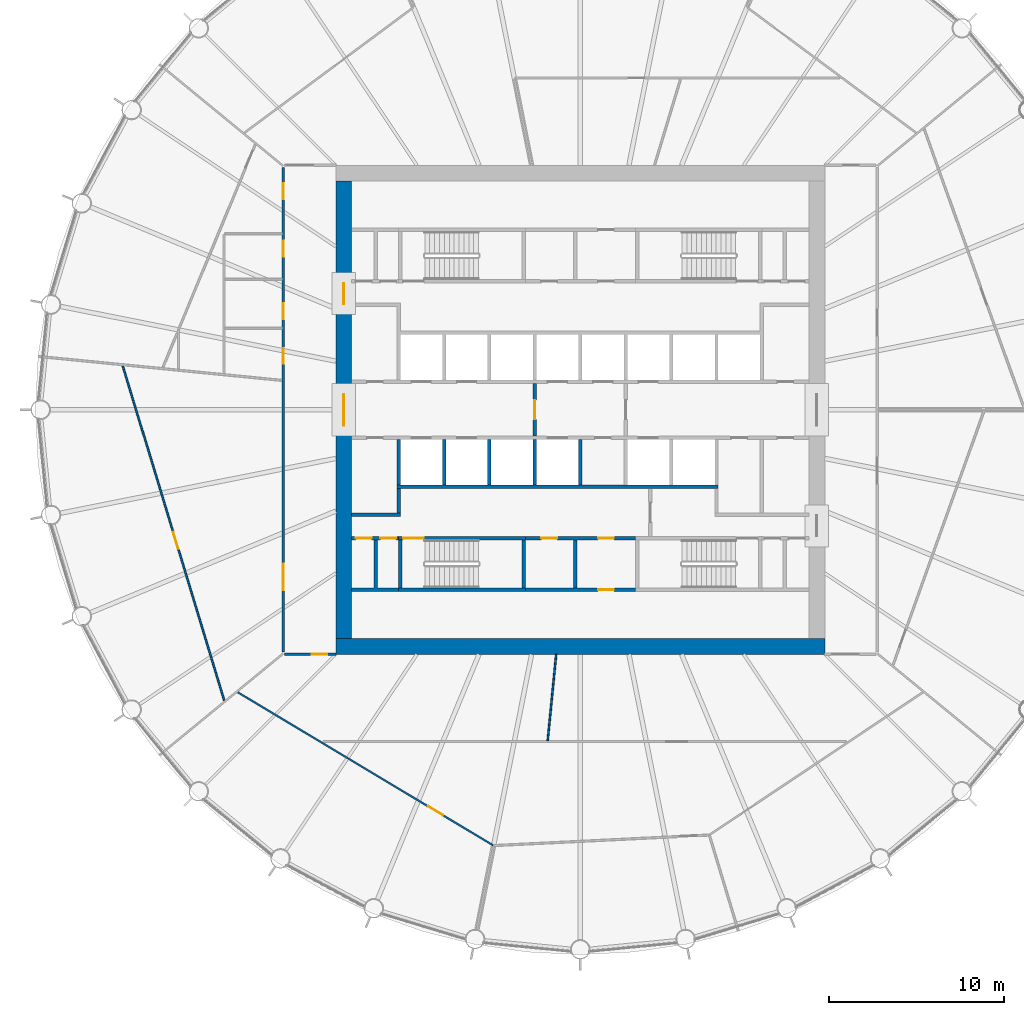
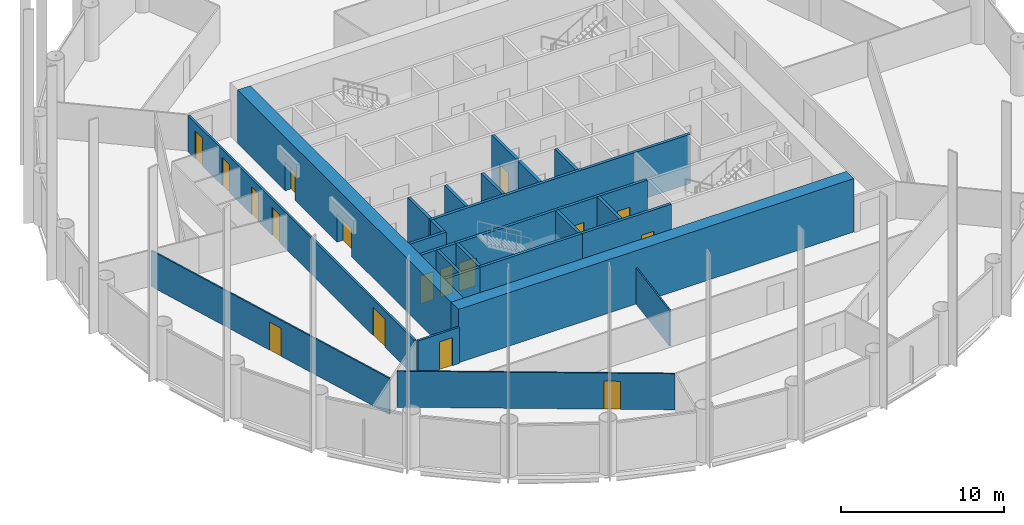
# One storey, part 4 of 9: 25 walls, 17 doors, 17 openings.
"""IFC4 building model written with IfcOpenShell, lengths in metres."""

import ifcopenshell
import ifcopenshell.guid

model = None  # the IFC model being written
_history = None  # IfcOwnerHistory: only IFC2X3 demands one
_inside = {}  # id of a spatial element -> (the spatial element, [elements in it])
_under = {}  # id of a project, library or spatial element -> (it, [spatial elements below it])
_declared = {}  # id of a project -> (the project, [libraries it declares])
_typed = {}  # id of a type object -> (the type object, [elements of that type])
_made_of = {}  # id of a material, layer set ... -> (it, [elements and type objects made of it])


def new_model(schema):
    """Start an empty IFC model of exactly this schema.

    Asked for "IFC4X3", IfcOpenShell would pick the latest addendum, in which some entities
    have other attributes; the version numbers below select the first issue.
    IFC2X3 requires an IfcOwnerHistory on every rooted entity: one is made here for all.
    """
    global model, _history
    if schema == "IFC4X3":
        model = ifcopenshell.file(schema_version=(4, 3, 0, 0))
    else:
        model = ifcopenshell.file(schema=schema)
    _inside.clear()
    _under.clear()
    _declared.clear()
    _typed.clear()
    _made_of.clear()
    _history = None
    if model.schema == "IFC2X3":
        org = make("IfcOrganization", Name="unknown")
        user = make(
            "IfcPersonAndOrganization",
            ThePerson=make("IfcPerson", FamilyName="unknown"),
            TheOrganization=org,
        )
        app = make(
            "IfcApplication",
            ApplicationDeveloper=org,
            Version="unknown",
            ApplicationFullName="unknown",
            ApplicationIdentifier="unknown",
        )
        _history = make(
            "IfcOwnerHistory",
            OwningUser=user,
            OwningApplication=app,
            ChangeAction="ADDED",
            CreationDate=0,
        )
    return model


def make(cls, **values):
    """One entity of the class cls with the attributes given. An attribute that is None is left unset."""
    return model.create_entity(
        cls, **{name: value for name, value in values.items() if value is not None}
    )


def rooted(cls, **values):
    """An entity with a GlobalId (a new one), such as an element, a storey or a relation."""
    return make(cls, GlobalId=ifcopenshell.guid.new(), OwnerHistory=_history, **values)


def si_unit(unit_type, name, prefix=None):
    """IfcSIUnit, for example si_unit("LENGTHUNIT", "METRE", prefix="MILLI")."""
    return make("IfcSIUnit", UnitType=unit_type, Prefix=prefix, Name=name)


def assignment(units):
    """IfcUnitAssignment: the units of a project."""
    return None if units is None else make("IfcUnitAssignment", Units=units)


def point(xyz):
    """IfcCartesianPoint."""
    return None if xyz is None else make("IfcCartesianPoint", Coordinates=xyz)


def direction(xyz):
    """IfcDirection."""
    return None if xyz is None else make("IfcDirection", DirectionRatios=xyz)


def frame(location, z_axis=None, x_axis=None):
    """IfcAxis2Placement3D, a coordinate frame: its origin and axes. An axis left out is left unset."""
    return make(
        "IfcAxis2Placement3D",
        Location=point(location),
        Axis=direction(z_axis),
        RefDirection=direction(x_axis),
    )


def frame_2d(location, x_axis=None):
    """IfcAxis2Placement2D, a coordinate frame in the plane: its origin and x axis."""
    return make(
        "IfcAxis2Placement2D", Location=point(location), RefDirection=direction(x_axis)
    )


def origin():
    """The frame at (0, 0, 0) with its axes left unset."""
    return frame((0.0, 0.0, 0.0))


def place(relative_to, where):
    """IfcLocalPlacement: puts the frame where relative to a parent placement (None: the world)."""
    return make(
        "IfcLocalPlacement", PlacementRelTo=relative_to, RelativePlacement=where
    )


def context(
    kind, dimensions, precision=None, world=None, true_north=None, identifier=None
):
    """IfcGeometricRepresentationContext, for example the 3D "Model" context."""
    return make(
        "IfcGeometricRepresentationContext",
        ContextIdentifier=identifier,
        ContextType=kind,
        CoordinateSpaceDimension=dimensions,
        Precision=precision,
        WorldCoordinateSystem=world,
        TrueNorth=true_north,
    )


def subcontext(parent, identifier, kind, view, scale=None):
    """IfcGeometricRepresentationSubContext, for example "Body" below "Model"."""
    return make(
        "IfcGeometricRepresentationSubContext",
        ContextIdentifier=identifier,
        ContextType=kind,
        ParentContext=parent,
        TargetScale=scale,
        TargetView=view,
    )


def project(units=None, contexts=None):
    """IfcProject with its units and contexts."""
    return rooted(
        "IfcProject",
        Name="project",
        RepresentationContexts=contexts,
        UnitsInContext=assignment(units),
    )


def spatial(cls, under=None, at=None, **own):
    """A site, building, storey or space (cls), placed at a placement, below another one or the project."""
    s = rooted(cls, ObjectPlacement=at, **own)
    if under is not None:
        _under.setdefault(under.id(), (under, []))[1].append(s)
    return s


def polyline(points):
    """IfcPolyline through the points."""
    return make("IfcPolyline", Points=[point(p) for p in points])


def profile(cls, at=None, kind="AREA", **sizes):
    """A parametric profile (cls). Its sizes go by their IFC names, for example OverallWidth=200.0."""
    return make(cls, ProfileType=kind, Position=at, **sizes)


def rectangle(**sizes):
    """IfcRectangleProfileDef."""
    return profile("IfcRectangleProfileDef", **sizes)


def outline(outer, holes=None, kind="AREA"):
    """IfcArbitraryClosedProfileDef: a profile drawn as a closed curve; with holes, ...WithVoids."""
    if holes is None:
        return make("IfcArbitraryClosedProfileDef", ProfileType=kind, OuterCurve=outer)
    return make(
        "IfcArbitraryProfileDefWithVoids",
        ProfileType=kind,
        OuterCurve=outer,
        InnerCurves=holes,
    )


def extrude(swept, where, along, depth):
    """IfcExtrudedAreaSolid: the profile swept, set in the frame where, extruded along a direction by depth."""
    return make(
        "IfcExtrudedAreaSolid",
        SweptArea=swept,
        Position=where,
        ExtrudedDirection=direction(along),
        Depth=depth,
    )


def shape(context_of_items, identifier, shape_type, items):
    """IfcShapeRepresentation: the items that make up one representation, for example the "Body"."""
    return make(
        "IfcShapeRepresentation",
        ContextOfItems=context_of_items,
        RepresentationIdentifier=identifier,
        RepresentationType=shape_type,
        Items=items,
    )


def material(Name=None, Category=None):
    """IfcMaterial."""
    return make("IfcMaterial", Name=Name, Category=Category)


def layer(
    of_material, thickness, ventilated=None, Name=None, Category=None, Priority=None
):
    """IfcMaterialLayer: one layer of a wall or slab, of a material (None: an air gap)."""
    return make(
        "IfcMaterialLayer",
        Material=of_material,
        LayerThickness=thickness,
        IsVentilated=ventilated,
        Name=Name,
        Category=Category,
        Priority=Priority,
    )


def layer_set(layers, Name=None):
    """IfcMaterialLayerSet."""
    return make("IfcMaterialLayerSet", MaterialLayers=layers, LayerSetName=Name)


def made_of(thing, what):
    """Note that an element or type object is made of a material, layer set ...; save() writes the relation."""
    if what is not None:
        _made_of.setdefault(what.id(), (what, []))[1].append(thing)
    return thing


def type_object(cls, material=None, **own):
    """A type object (cls), such as IfcWallType, which elements share."""
    return made_of(rooted(cls, **own), material)


def element(
    cls,
    number,
    at=None,
    inside=None,
    cuts=None,
    type_object=None,
    material=None,
    context=None,
    identifier="Body",
    shape_type=None,
    held_by="IfcProductDefinitionShape",
    body=None,
    shapes=None,
    **own,
):
    """One element of the class cls, such as IfcWall. Its Tag is "e" and its number.

    at: its placement. inside: the storey or other place that contains it. cuts: it is an
    opening in that element (IfcRelVoidsElement). A single representation is given by context,
    identifier, shape_type and body (its items); several are given by shapes. held_by: the class
    of the entity that holds the representations. save() writes the other relations.
    """
    e = rooted(cls, Tag="e%d" % number, ObjectPlacement=at, **own)
    if body is not None:
        shapes = [shape(context, identifier, shape_type, body)]
    if shapes is not None:
        e.Representation = make(held_by, Representations=shapes)
    if inside is not None:
        _inside.setdefault(inside.id(), (inside, []))[1].append(e)
    if cuts is not None:
        rooted(
            "IfcRelVoidsElement", RelatingBuildingElement=cuts, RelatedOpeningElement=e
        )
    if type_object is not None:
        _typed.setdefault(type_object.id(), (type_object, []))[1].append(e)
    return made_of(e, material)


def fill(opening, filler):
    """IfcRelFillsElement: the door or window that sits in an opening."""
    return rooted(
        "IfcRelFillsElement",
        RelatingOpeningElement=opening,
        RelatedBuildingElement=filler,
    )


def aggregate(whole, parts):
    """IfcRelAggregates: a whole, such as a stair, and the parts it consists of."""
    return rooted("IfcRelAggregates", RelatingObject=whole, RelatedObjects=parts)


def save(model, path):
    """Write the relations noted so far, then the file.

    IfcRelAggregates (storeys below a building ...), IfcRelContainedInSpatialStructure (elements
    in a storey), IfcRelDefinesByType, IfcRelAssociatesMaterial and IfcRelDeclares: one each for
    every whole, place, type object, material and project.
    """
    for whole, parts in _under.values():
        aggregate(whole, parts)
    for where, things in _inside.values():
        rooted(
            "IfcRelContainedInSpatialStructure",
            RelatedElements=things,
            RelatingStructure=where,
        )
    for kind, things in _typed.values():
        rooted("IfcRelDefinesByType", RelatedObjects=things, RelatingType=kind)
    for what, things in _made_of.values():
        rooted("IfcRelAssociatesMaterial", RelatedObjects=things, RelatingMaterial=what)
    for by, libraries in _declared.values():
        rooted("IfcRelDeclares", RelatingContext=by, RelatedDefinitions=libraries)
    model.write(path)


model = new_model("IFC4")

# Units and contexts
model_context = context("Model", 3, precision=1e-05, world=origin(), true_north=direction((0.0, 1.0)))
body_context = subcontext(model_context, "Body", "Model", "MODEL_VIEW")
ifc_project = project(units=[si_unit("LENGTHUNIT", "METRE"), si_unit("AREAUNIT", "SQUARE_METRE"), si_unit("VOLUMEUNIT", "CUBIC_METRE"), si_unit("PLANEANGLEUNIT", "RADIAN"), si_unit("MASSUNIT", "GRAM", prefix="KILO")], contexts=[model_context])

# Site, building, storey
site_placement = place(None, origin())
site = spatial("IfcSite", under=ifc_project, at=site_placement, CompositionType="ELEMENT")
building_placement = place(site_placement, origin())
building = spatial("IfcBuilding", under=site, at=building_placement, Name="Corvane Civic Tower", CompositionType="ELEMENT")
storey_placement = place(building_placement, frame((0.0, 0.0, 160.0)))
storey = spatial("IfcBuildingStorey", under=building, at=storey_placement, Name="L37", CompositionType="ELEMENT", Elevation=160.0)

# Wall
ifc_material_1 = material(Name="Concrete C60/75", Category="concrete")
ifc_layer_1 = layer(ifc_material_1, 0.89990234375)
ifc_layer_set_1 = layer_set([ifc_layer_1], Name="Concrete C60/75")
wall_type_1 = type_object("IfcWallType", Name="CORE WALL 900 C60/75", PredefinedType="SHEAR", material=ifc_layer_set_1)
wall_1_placement = place(storey_placement, frame((-14.0, -13.550048828125, 0.0), z_axis=(0.0, 0.0, 1.0), x_axis=(1.0, 0.0, 0.0)))
element("IfcWall", 1, at=wall_1_placement, inside=storey, type_object=wall_type_1, Name="W-L37-core-S", PredefinedType="SHEAR", context=body_context, shape_type="SweptSolid", body=[
    extrude(rectangle(XDim=28.0, YDim=0.89990234375, at=frame_2d((14.0, 0.0))), origin(), (0.0, 0.0, 1.0), 4.0),
])

# Wall, openings, doors
wall_2_placement = place(storey_placement, frame((-13.550048828125, -13.10009765625, 0.0), z_axis=(0.0, 0.0, 1.0), x_axis=(0.0, 1.0, 0.0)))
wall_2 = element("IfcWall", 2, at=wall_2_placement, inside=storey, type_object=wall_type_1, Name="W-L37-core-W", PredefinedType="SHEAR", context=body_context, shape_type="SweptSolid", body=[
    extrude(rectangle(XDim=26.2001953125, YDim=0.89990234375, at=frame_2d((13.10009765625, 0.0))), origin(), (0.0, 0.0, 1.0), 4.0),
])
opening_1_placement = place(wall_2_placement, frame((12.199951171875, 0.0, 0.0)))
opening_1 = element("IfcOpeningElement", 3, at=opening_1_placement, cuts=wall_2, Name="Opening L37.C28", PredefinedType="OPENING", context=body_context, shape_type="SweptSolid", body=[
    extrude(rectangle(XDim=1.800048828125, YDim=2.10009765625, at=frame_2d((0.89990234375, 1.050048828125))), frame((0.0, 0.4599609375, 0.0), z_axis=(0.0, -1.0, 0.0), x_axis=(1.0, 0.0, 0.0)), (0.0, 0.0, 1.0), 0.919921875),
])
opening_2_placement = place(wall_2_placement, frame((19.14990234375, 0.0, 0.0)))
opening_2 = element("IfcOpeningElement", 4, at=opening_2_placement, cuts=wall_2, Name="Opening L37.C30", PredefinedType="OPENING", context=body_context, shape_type="SweptSolid", body=[
    extrude(rectangle(XDim=1.199951171875, YDim=2.10009765625, at=frame_2d((0.60009765625, 1.050048828125))), frame((0.0, 0.4599609375, 0.0), z_axis=(0.0, -1.0, 0.0), x_axis=(1.0, 0.0, 0.0)), (0.0, 0.0, 1.0), 0.919921875),
])
ifc_material_2 = material(Name="Steel fire door leaf", Category="steel")
door_type_1 = type_object("IfcDoorType", Name="CR-DOOR-CORE-1800", OperationType="DOUBLE_DOOR_SINGLE_SWING", PredefinedType="DOOR", material=ifc_material_2)
door_1_placement = place(opening_1_placement, origin())
door_1 = element("IfcDoor", 5, at=door_1_placement, inside=storey, type_object=door_type_1, Name="L37 door", OperationType="DOUBLE_DOOR_SINGLE_SWING", OverallHeight=2.10009765625, OverallWidth=1.800048828125, PredefinedType="DOOR", context=body_context, shape_type="SweptSolid", body=[
    extrude(rectangle(XDim=1.800048828125, YDim=2.10009765625, at=frame_2d((0.89990234375, 1.050048828125))), frame((0.0, 0.02490234375, 0.0), z_axis=(0.0, -1.0, 0.0), x_axis=(1.0, 0.0, 0.0)), (0.0, 0.0, 1.0), 0.050048828125),
])
fill(opening_1, door_1)
door_2_placement = place(opening_2_placement, origin())
door_2 = element("IfcDoor", 6, at=door_2_placement, inside=storey, type_object=door_type_1, Name="L37 door", OperationType="DOUBLE_DOOR_SINGLE_SWING", OverallHeight=2.10009765625, OverallWidth=1.199951171875, PredefinedType="DOOR", context=body_context, shape_type="SweptSolid", body=[
    extrude(rectangle(XDim=1.199951171875, YDim=2.10009765625, at=frame_2d((0.60009765625, 1.050048828125))), frame((0.0, 0.02490234375, 0.0), z_axis=(0.0, -1.0, 0.0), x_axis=(1.0, 0.0, 0.0)), (0.0, 0.0, 1.0), 0.050048828125),
])
fill(opening_2, door_2)

# Wall, opening, door
ifc_material_3 = material(Name="Concrete C30/37", Category="concrete")
ifc_layer_2 = layer(ifc_material_3, 0.199951171875)
ifc_layer_set_2 = layer_set([ifc_layer_2], Name="Concrete C30/37")
wall_type_2 = type_object("IfcWallType", Name="CR-WALL-200", PredefinedType="PARTITIONING", material=ifc_layer_set_2)
wall_3_placement = place(storey_placement, frame((-3.14990234375, -10.300048828125, 0.0), z_axis=(0.0, 0.0, 1.0), x_axis=(1.0, 0.0, 0.0)))
wall_3 = element("IfcWall", 7, at=wall_3_placement, inside=storey, type_object=wall_type_2, Name="L37 partition wall", PredefinedType="PARTITIONING", context=body_context, shape_type="SweptSolid", body=[
    extrude(rectangle(XDim=6.2998046875, YDim=0.199951171875, at=frame_2d((3.14990234375, 0.0))), origin(), (0.0, 0.0, 1.0), 3.699951171875),
])
opening_3_placement = place(wall_3_placement, frame((4.175048828125, 0.0, 0.0)))
opening_3 = element("IfcOpeningElement", 8, at=opening_3_placement, cuts=wall_3, Name="Opening L37.C12", PredefinedType="OPENING", context=body_context, shape_type="SweptSolid", body=[
    extrude(rectangle(XDim=0.89990234375, YDim=2.10009765625, at=frame_2d((0.449951171875, 1.050048828125))), frame((0.0, 0.10986328125, 0.0), z_axis=(0.0, -1.0, 0.0), x_axis=(1.0, 0.0, 0.0)), (0.0, 0.0, 1.0), 0.219970703125),
])
ifc_material_4 = material(Name="Steel fire door leaf", Category="steel")
door_type_2 = type_object("IfcDoorType", Name="CR-DOOR-900", OperationType="SINGLE_SWING_LEFT", PredefinedType="DOOR", material=ifc_material_4)
door_3_placement = place(opening_3_placement, origin())
door_3 = element("IfcDoor", 9, at=door_3_placement, inside=storey, type_object=door_type_2, Name="L37 door", OperationType="SINGLE_SWING_LEFT", OverallHeight=2.10009765625, OverallWidth=0.89990234375, PredefinedType="DOOR", context=body_context, shape_type="SweptSolid", body=[
    extrude(rectangle(XDim=0.89990234375, YDim=2.10009765625, at=frame_2d((0.449951171875, 1.050048828125))), frame((0.0, 0.02490234375, 0.0), z_axis=(0.0, -1.0, 0.0), x_axis=(1.0, 0.0, 0.0)), (0.0, 0.0, 1.0), 0.050048828125),
])
fill(opening_3, door_3)

# Wall, openings, doors
wall_4_placement = place(storey_placement, frame((-13.10009765625, -7.35009765625, 0.0), z_axis=(0.0, 0.0, 1.0), x_axis=(1.0, 0.0, 0.0)))
wall_4 = element("IfcWall", 10, at=wall_4_placement, inside=storey, type_object=wall_type_2, Name="L37 core partition wall", PredefinedType="PARTITIONING", context=body_context, shape_type="SweptSolid", body=[
    extrude(rectangle(XDim=2.7001953125, YDim=0.199951171875, at=frame_2d((1.35009765625, 0.0))), origin(), (0.0, 0.0, 1.0), 3.699951171875),
])
opening_4_placement = place(wall_4_placement, frame((0.25, 0.0, 0.0)))
opening_4 = element("IfcOpeningElement", 11, at=opening_4_placement, cuts=wall_4, Name="Opening L37.C15", PredefinedType="OPENING", context=body_context, shape_type="SweptSolid", body=[
    extrude(rectangle(XDim=0.89990234375, YDim=2.10009765625, at=frame_2d((0.449951171875, 1.050048828125))), frame((0.0, 0.10986328125, 0.0), z_axis=(0.0, -1.0, 0.0), x_axis=(1.0, 0.0, 0.0)), (0.0, 0.0, 1.0), 0.219970703125),
])
opening_5_placement = place(wall_4_placement, frame((1.64990234375, 0.0, 0.0)))
opening_5 = element("IfcOpeningElement", 12, at=opening_5_placement, cuts=wall_4, Name="Opening L37.C16", PredefinedType="OPENING", context=body_context, shape_type="SweptSolid", body=[
    extrude(rectangle(XDim=0.89990234375, YDim=2.10009765625, at=frame_2d((0.449951171875, 1.050048828125))), frame((0.0, 0.10986328125, 0.0), z_axis=(0.0, -1.0, 0.0), x_axis=(1.0, 0.0, 0.0)), (0.0, 0.0, 1.0), 0.219970703125),
])
door_4_placement = place(opening_4_placement, origin())
door_4 = element("IfcDoor", 13, at=door_4_placement, inside=storey, type_object=door_type_2, Name="L37 door", OperationType="SINGLE_SWING_LEFT", OverallHeight=2.10009765625, OverallWidth=0.89990234375, PredefinedType="DOOR", context=body_context, shape_type="SweptSolid", body=[
    extrude(rectangle(XDim=0.89990234375, YDim=2.10009765625, at=frame_2d((0.449951171875, 1.050048828125))), frame((0.0, 0.02490234375, 0.0), z_axis=(0.0, -1.0, 0.0), x_axis=(1.0, 0.0, 0.0)), (0.0, 0.0, 1.0), 0.050048828125),
])
fill(opening_4, door_4)
door_5_placement = place(opening_5_placement, origin())
door_5 = element("IfcDoor", 14, at=door_5_placement, inside=storey, type_object=door_type_2, Name="L37 door", OperationType="SINGLE_SWING_LEFT", OverallHeight=2.10009765625, OverallWidth=0.89990234375, PredefinedType="DOOR", context=body_context, shape_type="SweptSolid", body=[
    extrude(rectangle(XDim=0.89990234375, YDim=2.10009765625, at=frame_2d((0.449951171875, 1.050048828125))), frame((0.0, 0.02490234375, 0.0), z_axis=(0.0, -1.0, 0.0), x_axis=(1.0, 0.0, 0.0)), (0.0, 0.0, 1.0), 0.050048828125),
])
fill(opening_5, door_5)

wall_5_placement = place(storey_placement, frame((-3.14990234375, -7.35009765625, 0.0), z_axis=(0.0, 0.0, 1.0), x_axis=(1.0, 0.0, 0.0)))
wall_5 = element("IfcWall", 15, at=wall_5_placement, inside=storey, type_object=wall_type_2, Name="L37 core partition wall", PredefinedType="PARTITIONING", context=body_context, shape_type="SweptSolid", body=[
    extrude(rectangle(XDim=6.2998046875, YDim=0.199951171875, at=frame_2d((3.14990234375, 0.0))), origin(), (0.0, 0.0, 1.0), 3.699951171875),
])
opening_6_placement = place(wall_5_placement, frame((0.925048828125, 0.0, 0.0)))
opening_6 = element("IfcOpeningElement", 16, at=opening_6_placement, cuts=wall_5, Name="Opening L37.C09", PredefinedType="OPENING", context=body_context, shape_type="SweptSolid", body=[
    extrude(rectangle(XDim=0.89990234375, YDim=2.10009765625, at=frame_2d((0.449951171875, 1.050048828125))), frame((0.0, 0.10986328125, 0.0), z_axis=(0.0, -1.0, 0.0), x_axis=(1.0, 0.0, 0.0)), (0.0, 0.0, 1.0), 0.219970703125),
])
opening_7_placement = place(wall_5_placement, frame((4.175048828125, 0.0, 0.0)))
opening_7 = element("IfcOpeningElement", 17, at=opening_7_placement, cuts=wall_5, Name="Opening L37.C10", PredefinedType="OPENING", context=body_context, shape_type="SweptSolid", body=[
    extrude(rectangle(XDim=0.89990234375, YDim=2.10009765625, at=frame_2d((0.449951171875, 1.050048828125))), frame((0.0, 0.10986328125, 0.0), z_axis=(0.0, -1.0, 0.0), x_axis=(1.0, 0.0, 0.0)), (0.0, 0.0, 1.0), 0.219970703125),
])
door_6_placement = place(opening_6_placement, origin())
door_6 = element("IfcDoor", 18, at=door_6_placement, inside=storey, type_object=door_type_2, Name="L37 door", OperationType="SINGLE_SWING_LEFT", OverallHeight=2.10009765625, OverallWidth=0.89990234375, PredefinedType="DOOR", context=body_context, shape_type="SweptSolid", body=[
    extrude(rectangle(XDim=0.89990234375, YDim=2.10009765625, at=frame_2d((0.449951171875, 1.050048828125))), frame((0.0, 0.02490234375, 0.0), z_axis=(0.0, -1.0, 0.0), x_axis=(1.0, 0.0, 0.0)), (0.0, 0.0, 1.0), 0.050048828125),
])
fill(opening_6, door_6)
door_7_placement = place(opening_7_placement, origin())
door_7 = element("IfcDoor", 19, at=door_7_placement, inside=storey, type_object=door_type_2, Name="L37 door", OperationType="SINGLE_SWING_LEFT", OverallHeight=2.10009765625, OverallWidth=0.89990234375, PredefinedType="DOOR", context=body_context, shape_type="SweptSolid", body=[
    extrude(rectangle(XDim=0.89990234375, YDim=2.10009765625, at=frame_2d((0.449951171875, 1.050048828125))), frame((0.0, 0.02490234375, 0.0), z_axis=(0.0, -1.0, 0.0), x_axis=(1.0, 0.0, 0.0)), (0.0, 0.0, 1.0), 0.050048828125),
])
fill(opening_7, door_7)

# Wall, opening, door
wall_6_placement = place(storey_placement, frame((-2.60009765625, -1.5, 0.0), z_axis=(0.0, 0.0, 1.0), x_axis=(0.0, 1.0, 0.0)))
wall_6 = element("IfcWall", 20, at=wall_6_placement, inside=storey, type_object=wall_type_2, Name="L37 firefighting lobby wall", PredefinedType="PARTITIONING", context=body_context, shape_type="SweptSolid", body=[
    extrude(rectangle(XDim=3.0, YDim=0.199951171875, at=frame_2d((1.5, 0.0))), origin(), (0.0, 0.0, 1.0), 3.699951171875),
])
opening_8_placement = place(wall_6_placement, frame((0.949951171875, 0.0, 0.0)))
opening_8 = element("IfcOpeningElement", 21, at=opening_8_placement, cuts=wall_6, Name="Opening L37.C25", PredefinedType="OPENING", context=body_context, shape_type="SweptSolid", body=[
    extrude(rectangle(XDim=1.10009765625, YDim=2.10009765625, at=frame_2d((0.550048828125, 1.050048828125))), frame((0.0, 0.10986328125, 0.0), z_axis=(0.0, -1.0, 0.0), x_axis=(1.0, 0.0, 0.0)), (0.0, 0.0, 1.0), 0.219970703125),
])
ifc_material_5 = material(Name="Steel fire door leaf", Category="steel")
door_type_3 = type_object("IfcDoorType", Name="CR-DOOR-FFL-1100", OperationType="SINGLE_SWING_LEFT", PredefinedType="DOOR", material=ifc_material_5)
door_8_placement = place(opening_8_placement, origin())
door_8 = element("IfcDoor", 22, at=door_8_placement, inside=storey, type_object=door_type_3, Name="L37 lobby door", OperationType="SINGLE_SWING_LEFT", OverallHeight=2.10009765625, OverallWidth=1.10009765625, PredefinedType="DOOR", context=body_context, shape_type="SweptSolid", body=[
    extrude(rectangle(XDim=1.10009765625, YDim=2.10009765625, at=frame_2d((0.550048828125, 1.050048828125))), frame((0.0, 0.02490234375, 0.0), z_axis=(0.0, -1.0, 0.0), x_axis=(1.0, 0.0, 0.0)), (0.0, 0.0, 1.0), 0.050048828125),
])
fill(opening_8, door_8)

# Walls
wall_7_placement = place(storey_placement, origin())
element("IfcWall", 23, at=wall_7_placement, inside=storey, type_object=wall_type_2, Name="L37 core partition wall", PredefinedType="PARTITIONING", context=body_context, shape_type="SweptSolid", body=[
    extrude(outline(polyline([(7.89990234375, -4.300048828125), (7.89990234375, -4.5), (-10.5, -4.5), (-10.5, -4.300048828125), (7.89990234375, -4.300048828125)])), origin(), (0.0, 0.0, 1.0), 3.699951171875),
])
wall_8_placement = place(storey_placement, origin())
element("IfcWall", 24, at=wall_8_placement, inside=storey, type_object=wall_type_2, Name="L37 core partition wall", PredefinedType="PARTITIONING", context=body_context, shape_type="SweptSolid", body=[
    extrude(outline(polyline([(-10.300048828125, -6.10009765625), (-13.10009765625, -6.10009765625), (-13.10009765625, -5.89990234375), (-10.300048828125, -5.89990234375), (-10.300048828125, -6.10009765625)])), origin(), (0.0, 0.0, 1.0), 3.699951171875),
])
wall_9_placement = place(storey_placement, origin())
element("IfcWall", 25, at=wall_9_placement, inside=storey, type_object=wall_type_2, Name="L37 core partition wall", PredefinedType="PARTITIONING", context=body_context, shape_type="SweptSolid", body=[
    extrude(outline(polyline([(-2.5, -1.699951171875), (-2.5, -4.2998046875), (-2.699951171875, -4.2998046875), (-2.699951171875, -1.699951171875), (-2.5, -1.699951171875)])), origin(), (0.0, 0.0, 1.0), 3.699951171875),
])
wall_10_placement = place(storey_placement, origin())
element("IfcWall", 26, at=wall_10_placement, inside=storey, type_object=wall_type_2, Name="L37 core partition wall", PredefinedType="PARTITIONING", context=body_context, shape_type="SweptSolid", body=[
    extrude(outline(polyline([(0.10009765625, -1.699951171875), (0.10009765625, -4.2998046875), (-0.10009765625, -4.2998046875), (-0.10009765625, -1.699951171875), (0.10009765625, -1.699951171875)])), origin(), (0.0, 0.0, 1.0), 3.699951171875),
])
wall_11_placement = place(storey_placement, origin())
element("IfcWall", 27, at=wall_11_placement, inside=storey, type_object=wall_type_2, Name="L37 core partition wall", PredefinedType="PARTITIONING", context=body_context, shape_type="SweptSolid", body=[
    extrude(outline(polyline([(-10.300048828125, -1.699951171875), (-10.300048828125, -4.2998046875), (-10.5, -4.2998046875), (-10.5, -1.699951171875), (-10.300048828125, -1.699951171875)])), origin(), (0.0, 0.0, 1.0), 3.699951171875),
])
wall_12_placement = place(storey_placement, origin())
element("IfcWall", 28, at=wall_12_placement, inside=storey, type_object=wall_type_2, Name="L37 core partition wall", PredefinedType="PARTITIONING", context=body_context, shape_type="SweptSolid", body=[
    extrude(outline(polyline([(-7.699951171875, -1.699951171875), (-7.699951171875, -4.2998046875), (-7.89990234375, -4.2998046875), (-7.89990234375, -1.699951171875), (-7.699951171875, -1.699951171875)])), origin(), (0.0, 0.0, 1.0), 3.699951171875),
])
wall_13_placement = place(storey_placement, origin())
element("IfcWall", 29, at=wall_13_placement, inside=storey, type_object=wall_type_2, Name="L37 core partition wall", PredefinedType="PARTITIONING", context=body_context, shape_type="SweptSolid", body=[
    extrude(outline(polyline([(-5.10009765625, -1.699951171875), (-5.10009765625, -4.2998046875), (-5.300048828125, -4.2998046875), (-5.300048828125, -1.699951171875), (-5.10009765625, -1.699951171875)])), origin(), (0.0, 0.0, 1.0), 3.699951171875),
])
wall_14_placement = place(storey_placement, origin())
element("IfcWall", 30, at=wall_14_placement, inside=storey, type_object=wall_type_2, Name="L37 core partition wall", PredefinedType="PARTITIONING", context=body_context, shape_type="SweptSolid", body=[
    extrude(outline(polyline([(-10.300048828125, -5.89990234375), (-10.5, -5.89990234375), (-10.5, -4.5), (-10.300048828125, -4.5), (-10.300048828125, -5.89990234375)])), origin(), (0.0, 0.0, 1.0), 3.699951171875),
])
wall_15_placement = place(storey_placement, origin())
element("IfcWall", 31, at=wall_15_placement, inside=storey, type_object=wall_type_2, Name="L37 core partition wall", PredefinedType="PARTITIONING", context=body_context, shape_type="SweptSolid", body=[
    extrude(outline(polyline([(-11.800048828125, -7.449951171875), (-11.60009765625, -7.449951171875), (-11.60009765625, -10.199951171875), (-10.39990234375, -10.199951171875), (-10.39990234375, -10.39990234375), (-13.10009765625, -10.39990234375), (-13.10009765625, -10.199951171875), (-11.800048828125, -10.199951171875), (-11.800048828125, -7.449951171875)])), origin(), (0.0, 0.0, 1.0), 3.699951171875),
])
wall_16_placement = place(storey_placement, origin())
element("IfcWall", 32, at=wall_16_placement, inside=storey, type_object=wall_type_2, Name="L37 core partition wall", PredefinedType="PARTITIONING", context=body_context, shape_type="SweptSolid", body=[
    extrude(outline(polyline([(-0.199951171875, -10.199951171875), (-0.39990234375, -10.199951171875), (-0.39990234375, -7.449951171875), (-0.199951171875, -7.449951171875), (-0.199951171875, -10.199951171875)])), origin(), (0.0, 0.0, 1.0), 3.699951171875),
])

# Wall, opening, door
ifc_material_6 = material(Name="Plasterboard")
ifc_layer_3 = layer(ifc_material_6, 0.10009765625)
ifc_layer_set_3 = layer_set([ifc_layer_3], Name="Plasterboard")
wall_type_3 = type_object("IfcWallType", Name="Partition 100 plasterboard on studs", PredefinedType="PARTITIONING", material=ifc_layer_set_3)
wall_17_placement = place(storey_placement, frame((-19.60693359375, -16.177490234375, 0.0), z_axis=(0.0, 0.0, 1.0), x_axis=(0.857726754519, -0.514105839865, 0.0)))
wall_17 = element("IfcWall", 33, at=wall_17_placement, inside=storey, type_object=wall_type_3, Name="Partition L37.004", PredefinedType="PARTITIONING", context=body_context, shape_type="SweptSolid", body=[
    extrude(rectangle(XDim=17.036865234375, YDim=0.10009765625, at=frame_2d((8.5185546875, 0.0))), origin(), (0.0, 0.0, 1.0), 2.699951171875),
])
opening_9_placement = place(wall_17_placement, frame((12.6875, 0.0, 0.0)))
opening_9 = element("IfcOpeningElement", 34, at=opening_9_placement, cuts=wall_17, Name="Opening L37.008", PredefinedType="OPENING", context=body_context, shape_type="SweptSolid", body=[
    extrude(rectangle(XDim=1.0, YDim=2.10009765625, at=frame_2d((0.5, 1.050048828125))), frame((0.0, 0.06005859375, 0.0), z_axis=(0.0, -1.0, 0.0), x_axis=(1.0, 0.0, 0.0)), (0.0, 0.0, 1.0), 0.1201171875),
])
ifc_material_7 = material(Name="Timber", Category="wood")
door_type_4 = type_object("IfcDoorType", Name="Single door 1000", OperationType="NOTDEFINED", PredefinedType="DOOR", material=ifc_material_7)
door_9_placement = place(opening_9_placement, frame((1.0, 0.0, 0.0), z_axis=(0.0, 0.0, 1.0), x_axis=(-1.0, 0.0, 0.0)))
door_9 = element("IfcDoor", 35, at=door_9_placement, inside=storey, type_object=door_type_4, Name="Door L37.008", OperationType="SINGLE_SWING_LEFT", OverallHeight=2.10009765625, OverallWidth=1.0, PredefinedType="DOOR", context=body_context, shape_type="SweptSolid", body=[
    extrude(rectangle(XDim=1.0, YDim=2.10009765625, at=frame_2d((0.5, 1.050048828125))), frame((0.0, 0.02490234375, 0.0), z_axis=(0.0, -1.0, 0.0), x_axis=(1.0, 0.0, 0.0)), (0.0, 0.0, 1.0), 0.050048828125),
])
fill(opening_9, door_9)

# Wall
wall_18_placement = place(storey_placement, frame((-1.865966796875, -18.945068359375, 0.0), z_axis=(0.0, 0.0, 1.0), x_axis=(0.098019895744, 0.995184455284, 0.0)))
element("IfcWall", 36, at=wall_18_placement, inside=storey, type_object=wall_type_3, Name="Partition L37.009", PredefinedType="PARTITIONING", context=body_context, shape_type="SweptSolid", body=[
    extrude(rectangle(XDim=4.968994140625, YDim=0.10009765625, at=frame_2d((2.484375, 0.0))), origin(), (0.0, 0.0, 1.0), 2.699951171875),
])

# Wall, opening, door
wall_19_placement = place(storey_placement, frame((-26.19580078125, 2.510498046875, 0.0), z_axis=(0.0, 0.0, 1.0), x_axis=(0.290284335473, -0.95694043941, 0.0)))
wall_19 = element("IfcWall", 37, at=wall_19_placement, inside=storey, type_object=wall_type_3, Name="Partition L37.010", PredefinedType="PARTITIONING", context=body_context, shape_type="SweptSolid", body=[
    extrude(rectangle(XDim=20.013427734375, YDim=0.10009765625, at=frame_2d((10.0068359375, 0.0))), origin(), (0.0, 0.0, 1.0), 2.699951171875),
])
opening_10_placement = place(wall_19_placement, frame((9.93359375, 0.0, 0.0)))
opening_10 = element("IfcOpeningElement", 38, at=opening_10_placement, cuts=wall_19, Name="Opening L37.016", PredefinedType="OPENING", context=body_context, shape_type="SweptSolid", body=[
    extrude(rectangle(XDim=1.0, YDim=2.10009765625, at=frame_2d((0.5, 1.050048828125))), frame((0.0, 0.06005859375, 0.0), z_axis=(0.0, -1.0, 0.0), x_axis=(1.0, 0.0, 0.0)), (0.0, 0.0, 1.0), 0.1201171875),
])
door_10_placement = place(opening_10_placement, frame((1.0, 0.0, 0.0), z_axis=(0.0, 0.0, 1.0), x_axis=(-1.0, 0.0, 0.0)))
door_10 = element("IfcDoor", 39, at=door_10_placement, inside=storey, type_object=door_type_4, Name="Door L37.016", OperationType="SINGLE_SWING_RIGHT", OverallHeight=2.10009765625, OverallWidth=1.0, PredefinedType="DOOR", context=body_context, shape_type="SweptSolid", body=[
    extrude(rectangle(XDim=1.0, YDim=2.10009765625, at=frame_2d((0.5, 1.050048828125))), frame((0.0, 0.02490234375, 0.0), z_axis=(0.0, -1.0, 0.0), x_axis=(1.0, 0.0, 0.0)), (0.0, 0.0, 1.0), 0.050048828125),
])
fill(opening_10, door_10)

ifc_material_8 = material(Name="Concrete C50/60", Category="concrete")
ifc_layer_4 = layer(ifc_material_8, 0.199951171875)
ifc_layer_set_4 = layer_set([ifc_layer_4], Name="Concrete C50/60")
wall_type_4 = type_object("IfcWallType", Name="ST-WALL-200", PredefinedType="SHEAR", material=ifc_layer_set_4)
wall_20_placement = place(storey_placement, frame((-10.39990234375, -7.35009765625, 0.0), z_axis=(0.0, 0.0, 1.0), x_axis=(1.0, 0.0, 0.0)))
wall_20 = element("IfcWall", 40, at=wall_20_placement, inside=storey, type_object=wall_type_4, Name="L37 stair enclosure wall", PredefinedType="SHEAR", context=body_context, shape_type="SweptSolid", body=[
    extrude(rectangle(XDim=7.25, YDim=0.199951171875, at=frame_2d((3.625, 0.0))), origin(), (0.0, 0.0, 1.0), 3.699951171875),
])
opening_11_placement = place(wall_20_placement, frame((0.25, 0.0, 0.0)))
opening_11 = element("IfcOpeningElement", 41, at=opening_11_placement, cuts=wall_20, Name="Opening L37.C24", PredefinedType="OPENING", context=body_context, shape_type="SweptSolid", body=[
    extrude(rectangle(XDim=1.199951171875, YDim=2.10009765625, at=frame_2d((0.60009765625, 1.050048828125))), frame((0.0, 0.10986328125, 0.0), z_axis=(0.0, -1.0, 0.0), x_axis=(1.0, 0.0, 0.0)), (0.0, 0.0, 1.0), 0.219970703125),
])
ifc_material_9 = material(Name="Steel fire door leaf", Category="steel")
door_type_5 = type_object("IfcDoorType", Name="ST-DOOR-1200", OperationType="SINGLE_SWING_RIGHT", PredefinedType="DOOR", material=ifc_material_9)
door_11_placement = place(opening_11_placement, origin())
door_11 = element("IfcDoor", 42, at=door_11_placement, inside=storey, type_object=door_type_5, Name="L37 stair door", OperationType="SINGLE_SWING_RIGHT", OverallHeight=2.10009765625, OverallWidth=1.199951171875, PredefinedType="DOOR", context=body_context, shape_type="SweptSolid", body=[
    extrude(rectangle(XDim=1.199951171875, YDim=2.10009765625, at=frame_2d((0.60009765625, 1.050048828125))), frame((0.0, 0.02490234375, 0.0), z_axis=(0.0, -1.0, 0.0), x_axis=(1.0, 0.0, 0.0)), (0.0, 0.0, 1.0), 0.050048828125),
])
fill(opening_11, door_11)

# Walls
wall_21_placement = place(storey_placement, origin())
element("IfcWall", 43, at=wall_21_placement, inside=storey, type_object=wall_type_4, Name="L37 stair enclosure wall", PredefinedType="SHEAR", context=body_context, shape_type="SweptSolid", body=[
    extrude(outline(polyline([(-3.14990234375, -10.199951171875), (-3.14990234375, -10.39990234375), (-10.39990234375, -10.39990234375), (-10.39990234375, -10.199951171875), (-3.14990234375, -10.199951171875)])), origin(), (0.0, 0.0, 1.0), 3.699951171875),
])
wall_22_placement = place(storey_placement, origin())
element("IfcWall", 44, at=wall_22_placement, inside=storey, type_object=wall_type_4, Name="L37 stair enclosure wall", PredefinedType="SHEAR", context=body_context, shape_type="SweptSolid", body=[
    extrude(outline(polyline([(-3.14990234375, -7.449951171875), (-3.14990234375, -10.199951171875), (-3.35009765625, -10.199951171875), (-3.35009765625, -7.449951171875), (-3.14990234375, -7.449951171875)])), origin(), (0.0, 0.0, 1.0), 3.699951171875),
])
wall_23_placement = place(storey_placement, origin())
element("IfcWall", 45, at=wall_23_placement, inside=storey, type_object=wall_type_4, Name="L37 stair enclosure wall", PredefinedType="SHEAR", context=body_context, shape_type="SweptSolid", body=[
    extrude(outline(polyline([(-10.199951171875, -7.449951171875), (-10.199951171875, -10.199951171875), (-10.39990234375, -10.199951171875), (-10.39990234375, -7.449951171875), (-10.199951171875, -7.449951171875)])), origin(), (0.0, 0.0, 1.0), 3.699951171875),
])

# Wall, opening, door
ifc_material_10 = material(Name="Plasterboard")
ifc_layer_5 = layer(ifc_material_10, 0.14990234375)
ifc_layer_set_5 = layer_set([ifc_layer_5], Name="Plasterboard")
wall_type_5 = type_object("IfcWallType", Name="Tenancy wall 150 EI 60", PredefinedType="PARTITIONING", material=ifc_layer_set_5)
wall_24_placement = place(storey_placement, frame((-16.925048828125, -14.0, 0.0), z_axis=(0.0, 0.0, 1.0), x_axis=(1.0, 0.0, 0.0)))
wall_24 = element("IfcWall", 46, at=wall_24_placement, inside=storey, type_object=wall_type_5, Name="Partition L37.012", PredefinedType="PARTITIONING", context=body_context, shape_type="SweptSolid", body=[
    extrude(rectangle(XDim=2.93505859375, YDim=0.14990234375, at=frame_2d((1.467529296875, 0.0))), origin(), (0.0, 0.0, 1.0), 2.699951171875),
])
opening_12_placement = place(wall_24_placement, frame((1.5419921875, 0.0, 0.0)))
opening_12 = element("IfcOpeningElement", 47, at=opening_12_placement, cuts=wall_24, Name="Opening L37.011", PredefinedType="OPENING", context=body_context, shape_type="SweptSolid", body=[
    extrude(rectangle(XDim=0.89990234375, YDim=2.10009765625, at=frame_2d((0.449951171875, 1.050048828125))), frame((0.0, 0.0849609375, 0.0), z_axis=(0.0, -1.0, 0.0), x_axis=(1.0, 0.0, 0.0)), (0.0, 0.0, 1.0), 0.169921875),
])
ifc_material_11 = material(Name="Steel and timber", Category="steel")
door_type_6 = type_object("IfcDoorType", Name="Fire door FD30S 900", OperationType="NOTDEFINED", PredefinedType="DOOR", material=ifc_material_11)
door_12_placement = place(opening_12_placement, frame((0.89990234375, 0.0, 0.0), z_axis=(0.0, 0.0, 1.0), x_axis=(-1.0, 0.0, 0.0)))
door_12 = element("IfcDoor", 48, at=door_12_placement, inside=storey, type_object=door_type_6, Name="Door L37.011", OperationType="SINGLE_SWING_LEFT", OverallHeight=2.10009765625, OverallWidth=0.89990234375, PredefinedType="DOOR", context=body_context, shape_type="SweptSolid", body=[
    extrude(rectangle(XDim=0.89990234375, YDim=2.10009765625, at=frame_2d((0.449951171875, 1.050048828125))), frame((0.0, 0.02490234375, 0.0), z_axis=(0.0, -1.0, 0.0), x_axis=(1.0, 0.0, 0.0)), (0.0, 0.0, 1.0), 0.050048828125),
])
fill(opening_12, door_12)

# Wall, openings, doors
wall_25_placement = place(storey_placement, frame((-17.0, -13.87646484375, 0.0), z_axis=(0.0, 0.0, 1.0), x_axis=(0.0, 1.0, 0.0)))
wall_25 = element("IfcWall", 49, at=wall_25_placement, inside=storey, type_object=wall_type_5, Name="Partition L37.014", PredefinedType="PARTITIONING", context=body_context, shape_type="SweptSolid", body=[
    extrude(rectangle(XDim=27.7529296875, YDim=0.14990234375, at=frame_2d((13.87646484375, 0.0))), origin(), (0.0, 0.0, 1.0), 2.699951171875),
])
opening_13_placement = place(wall_25_placement, frame((3.552001953125, 0.0, 0.0)))
opening_13 = element("IfcOpeningElement", 50, at=opening_13_placement, cuts=wall_25, Name="Opening L37.017", PredefinedType="OPENING", context=body_context, shape_type="SweptSolid", body=[
    extrude(rectangle(XDim=1.5, YDim=2.10009765625, at=frame_2d((0.75, 1.050048828125))), frame((0.0, 0.0849609375, 0.0), z_axis=(0.0, -1.0, 0.0), x_axis=(1.0, 0.0, 0.0)), (0.0, 0.0, 1.0), 0.169921875),
])
opening_14_placement = place(wall_25_placement, frame((25.9453125, 0.0, 0.0)))
opening_14 = element("IfcOpeningElement", 51, at=opening_14_placement, cuts=wall_25, Name="Opening L37.019", PredefinedType="OPENING", context=body_context, shape_type="SweptSolid", body=[
    extrude(rectangle(XDim=0.89990234375, YDim=2.10009765625, at=frame_2d((0.449951171875, 1.050048828125))), frame((0.0, 0.0849609375, 0.0), z_axis=(0.0, -1.0, 0.0), x_axis=(1.0, 0.0, 0.0)), (0.0, 0.0, 1.0), 0.169921875),
])
opening_15_placement = place(wall_25_placement, frame((16.508056640625, 0.0, 0.0)))
opening_15 = element("IfcOpeningElement", 52, at=opening_15_placement, cuts=wall_25, Name="Opening L37.020", PredefinedType="OPENING", context=body_context, shape_type="SweptSolid", body=[
    extrude(rectangle(XDim=0.89990234375, YDim=2.10009765625, at=frame_2d((0.449951171875, 1.050048828125))), frame((0.0, 0.0849609375, 0.0), z_axis=(0.0, -1.0, 0.0), x_axis=(1.0, 0.0, 0.0)), (0.0, 0.0, 1.0), 0.169921875),
])
opening_16_placement = place(wall_25_placement, frame((19.0625, 0.0, 0.0)))
opening_16 = element("IfcOpeningElement", 53, at=opening_16_placement, cuts=wall_25, Name="Opening L37.021", PredefinedType="OPENING", context=body_context, shape_type="SweptSolid", body=[
    extrude(rectangle(XDim=0.89990234375, YDim=2.10009765625, at=frame_2d((0.449951171875, 1.050048828125))), frame((0.0, 0.0849609375, 0.0), z_axis=(0.0, -1.0, 0.0), x_axis=(1.0, 0.0, 0.0)), (0.0, 0.0, 1.0), 0.169921875),
])
opening_17_placement = place(wall_25_placement, frame((22.6455078125, 0.0, 0.0)))
opening_17 = element("IfcOpeningElement", 54, at=opening_17_placement, cuts=wall_25, Name="Opening L37.022", PredefinedType="OPENING", context=body_context, shape_type="SweptSolid", body=[
    extrude(rectangle(XDim=0.89990234375, YDim=2.10009765625, at=frame_2d((0.449951171875, 1.050048828125))), frame((0.0, 0.0849609375, 0.0), z_axis=(0.0, -1.0, 0.0), x_axis=(1.0, 0.0, 0.0)), (0.0, 0.0, 1.0), 0.169921875),
])
door_13_placement = place(opening_14_placement, origin())
door_13 = element("IfcDoor", 55, at=door_13_placement, inside=storey, type_object=door_type_6, Name="Door L37.019", OperationType="SINGLE_SWING_RIGHT", OverallHeight=2.10009765625, OverallWidth=0.89990234375, PredefinedType="DOOR", context=body_context, shape_type="SweptSolid", body=[
    extrude(rectangle(XDim=0.89990234375, YDim=2.10009765625, at=frame_2d((0.449951171875, 1.050048828125))), frame((0.0, 0.02490234375, 0.0), z_axis=(0.0, -1.0, 0.0), x_axis=(1.0, 0.0, 0.0)), (0.0, 0.0, 1.0), 0.050048828125),
])
fill(opening_14, door_13)
door_14_placement = place(opening_15_placement, origin())
door_14 = element("IfcDoor", 56, at=door_14_placement, inside=storey, type_object=door_type_6, Name="Door L37.020", OperationType="SINGLE_SWING_LEFT", OverallHeight=2.10009765625, OverallWidth=0.89990234375, PredefinedType="DOOR", context=body_context, shape_type="SweptSolid", body=[
    extrude(rectangle(XDim=0.89990234375, YDim=2.10009765625, at=frame_2d((0.449951171875, 1.050048828125))), frame((0.0, 0.02490234375, 0.0), z_axis=(0.0, -1.0, 0.0), x_axis=(1.0, 0.0, 0.0)), (0.0, 0.0, 1.0), 0.050048828125),
])
fill(opening_15, door_14)
door_15_placement = place(opening_16_placement, origin())
door_15 = element("IfcDoor", 57, at=door_15_placement, inside=storey, type_object=door_type_6, Name="Door L37.021", OperationType="SINGLE_SWING_LEFT", OverallHeight=2.10009765625, OverallWidth=0.89990234375, PredefinedType="DOOR", context=body_context, shape_type="SweptSolid", body=[
    extrude(rectangle(XDim=0.89990234375, YDim=2.10009765625, at=frame_2d((0.449951171875, 1.050048828125))), frame((0.0, 0.02490234375, 0.0), z_axis=(0.0, -1.0, 0.0), x_axis=(1.0, 0.0, 0.0)), (0.0, 0.0, 1.0), 0.050048828125),
])
fill(opening_16, door_15)
door_16_placement = place(opening_17_placement, origin())
door_16 = element("IfcDoor", 58, at=door_16_placement, inside=storey, type_object=door_type_6, Name="Door L37.022", OperationType="SINGLE_SWING_RIGHT", OverallHeight=2.10009765625, OverallWidth=0.89990234375, PredefinedType="DOOR", context=body_context, shape_type="SweptSolid", body=[
    extrude(rectangle(XDim=0.89990234375, YDim=2.10009765625, at=frame_2d((0.449951171875, 1.050048828125))), frame((0.0, 0.02490234375, 0.0), z_axis=(0.0, -1.0, 0.0), x_axis=(1.0, 0.0, 0.0)), (0.0, 0.0, 1.0), 0.050048828125),
])
fill(opening_17, door_16)
ifc_material_12 = material(Name="Steel and timber", Category="steel")
door_type_7 = type_object("IfcDoorType", Name="Fire door FD60 double 1500", OperationType="NOTDEFINED", PredefinedType="DOOR", material=ifc_material_12)
door_17_placement = place(opening_13_placement, origin())
door_17 = element("IfcDoor", 59, at=door_17_placement, inside=storey, type_object=door_type_7, Name="Door L37.017", OperationType="DOUBLE_DOOR_SINGLE_SWING", OverallHeight=2.10009765625, OverallWidth=1.5, PredefinedType="DOOR", context=body_context, shape_type="SweptSolid", body=[
    extrude(rectangle(XDim=1.5, YDim=2.10009765625, at=frame_2d((0.75, 1.050048828125))), frame((0.0, 0.02490234375, 0.0), z_axis=(0.0, -1.0, 0.0), x_axis=(1.0, 0.0, 0.0)), (0.0, 0.0, 1.0), 0.050048828125),
])
fill(opening_13, door_17)

save(model, "model.ifc")
